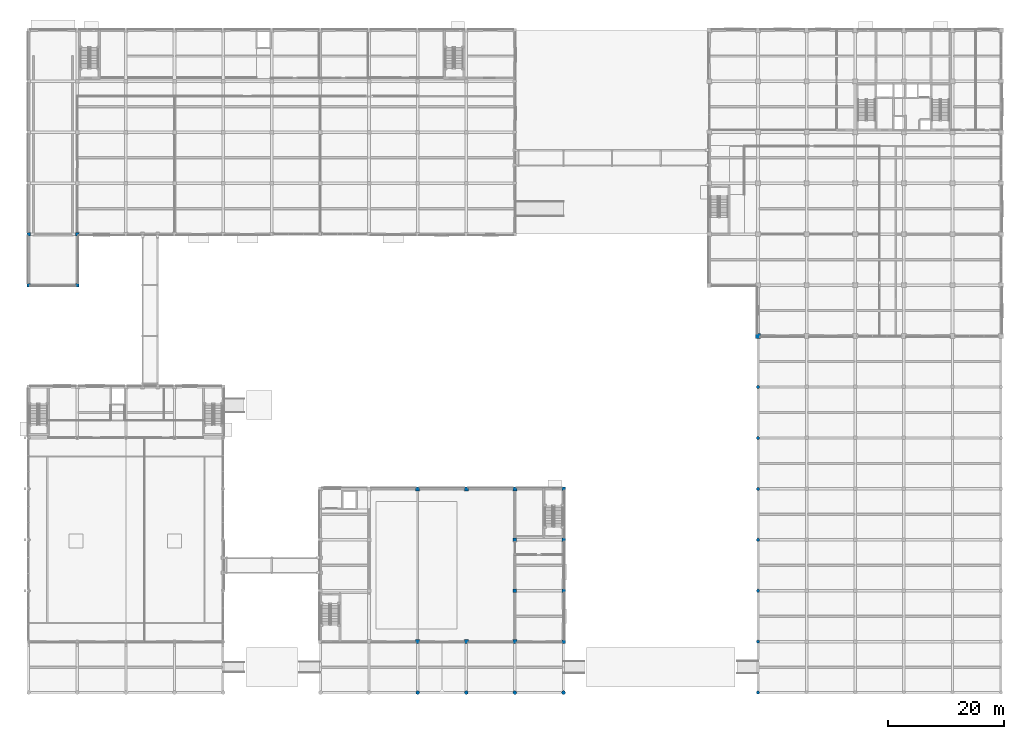
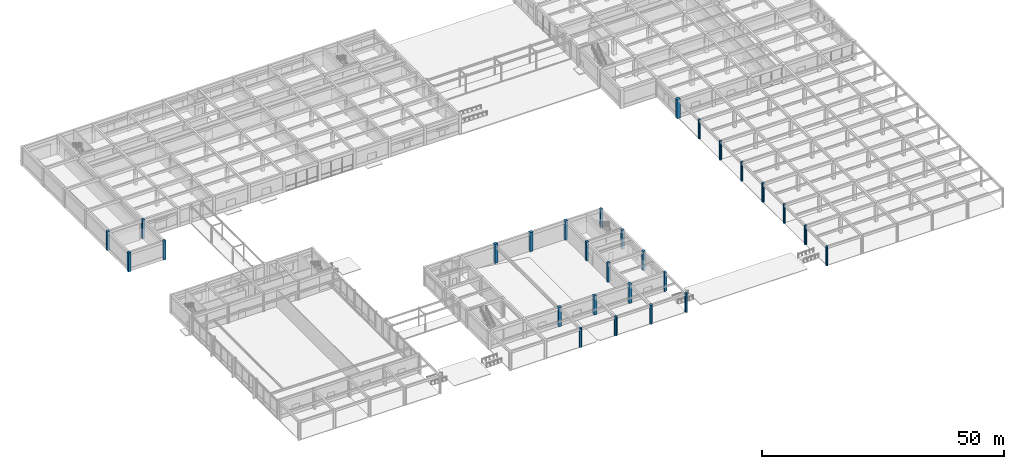
# One storey, part 5 of 58: 28 columns.
"""IFC4 building model written with IfcOpenShell, lengths in metres."""

from ifc_helpers import new_model, si_unit, direction, frame, origin, origin_2d, place, context, subcontext, project, spatial, rectangle, circle, extrude, material, material_profile, profile_set, type_object, element, save


model = new_model("IFC4")

# Units and contexts
model_context = context("Model", 3, precision=1e-05, world=origin(), true_north=direction((0.0, 1.0)))
body_context = subcontext(model_context, "Body", "Model", "MODEL_VIEW")
ifc_project = project(units=[si_unit("LENGTHUNIT", "METRE"), si_unit("AREAUNIT", "SQUARE_METRE"), si_unit("VOLUMEUNIT", "CUBIC_METRE"), si_unit("PLANEANGLEUNIT", "RADIAN"), si_unit("MASSUNIT", "GRAM", prefix="KILO")], contexts=[model_context])

# Site, building, storey
site_placement = place(None, origin())
site = spatial("IfcSite", under=ifc_project, at=site_placement, CompositionType="ELEMENT")
building_placement = place(site_placement, origin())
building = spatial("IfcBuilding", under=site, at=building_placement, Name="Kemercrest Conservatory and Botanical Centre", CompositionType="ELEMENT")
storey_placement = place(building_placement, origin())
storey = spatial("IfcBuildingStorey", under=building, at=storey_placement, Name="L00", CompositionType="ELEMENT", Elevation=0.0)

# Columns
ifc_material_1 = material(Name="Concrete C40/50", Category="concrete")
ifc_material_profile_1 = material_profile(ifc_material_1, rectangle(XDim=0.60009765625, YDim=0.60009765625, at=origin_2d()), Name="RC 600x600")
ifc_profile_set_1 = profile_set([ifc_material_profile_1], Name="Concrete C40/50")
column_type_1 = type_object("IfcColumnType", Name="C-RC60", PredefinedType="COLUMN", material=ifc_profile_set_1)
for number, where, z_axis, x_axis, name in (
    (1, (92.0, 25.60009765625, 0.0), (0.0, 0.0, 1.0), (1.0, 0.0, 0.0), "Auditorium column 11/C"),
    (2, (92.0, 34.39990234375, 0.0), (0.0, 0.0, 1.0), (1.0, 0.0, 0.0), "Auditorium column 11/D"),
    (3, (100.39990234375, 16.800048828125, 0.0), (0.0, 0.0, 1.0), (1.0, 0.0, 0.0), "Auditorium column 12/B"),
    (4, (100.39990234375, 25.60009765625, 0.0), (0.0, 0.0, 1.0), (1.0, 0.0, 0.0), "Auditorium column 12/C"),
    (5, (100.39990234375, 34.39990234375, 0.0), (0.0, 0.0, 1.0), (1.0, 0.0, 0.0), "Auditorium column 12/D"),
    (6, (100.39990234375, 43.199951171875, 0.0), (0.0, 0.0, 1.0), (1.0, 0.0, 0.0), "Auditorium column 12/E"),
    (7, (8.0, 87.199951171875, 0.0), (0.0, 0.0, 1.0), (1.0, 0.0, 0.0), "Visitor Wing column 01/K"),
    (8, (16.39990234375, 87.199951171875, 0.0), (0.0, 0.0, 1.0), (1.0, 0.0, 0.0), "Visitor Wing column 02/K"),
    (9, (8.0, 78.39990234375, 0.0), (0.0, 0.0, 1.0), (1.0, 0.0, 0.0), "Vehicle ramp enclosure column 01/J"),
    (10, (16.39990234375, 78.39990234375, 0.0), (0.0, 0.0, 1.0), (1.0, 0.0, 0.0), "Vehicle ramp enclosure column 02/J"),
):
    element("IfcColumn", number, at=place(storey_placement, frame(where, z_axis=z_axis, x_axis=x_axis)), inside=storey, type_object=column_type_1, Name=name, PredefinedType="COLUMN", context=body_context, shape_type="SweptSolid", body=[
        extrude(rectangle(XDim=0.60009765625, YDim=0.60009765625, at=origin_2d()), origin(), (0.0, 0.0, 1.0), 4.800048828125),
    ])
ifc_material_2 = material(Name="Concrete C50/60", Category="concrete")
ifc_material_profile_2 = material_profile(ifc_material_2, rectangle(XDim=0.699951171875, YDim=0.699951171875, at=origin_2d()), Name="RC 700x700")
ifc_profile_set_2 = profile_set([ifc_material_profile_2], Name="Concrete C50/60")
column_type_2 = type_object("IfcColumnType", Name="C-RC70", PredefinedType="COLUMN", material=ifc_profile_set_2)
for number, where, z_axis, x_axis, name in (
    (11, (75.199951171875, 16.800048828125, 0.0), (0.0, 0.0, 1.0), (1.0, 0.0, 0.0), "Auditorium column 09/B"),
    (12, (75.199951171875, 43.199951171875, 0.0), (0.0, 0.0, 1.0), (1.0, 0.0, 0.0), "Auditorium column 09/E"),
    (13, (83.60009765625, 16.800048828125, 0.0), (0.0, 0.0, 1.0), (1.0, 0.0, 0.0), "Auditorium column 10/B"),
    (14, (83.60009765625, 43.199951171875, 0.0), (0.0, 0.0, 1.0), (1.0, 0.0, 0.0), "Auditorium column 10/E"),
    (15, (92.0, 16.800048828125, 0.0), (0.0, 0.0, 1.0), (1.0, 0.0, 0.0), "Auditorium column 11/B"),
    (16, (92.0, 43.199951171875, 0.0), (0.0, 0.0, 1.0), (1.0, 0.0, 0.0), "Auditorium column 11/E"),
):
    element("IfcColumn", number, at=place(storey_placement, frame(where, z_axis=z_axis, x_axis=x_axis)), inside=storey, type_object=column_type_2, Name=name, PredefinedType="COLUMN", context=body_context, shape_type="SweptSolid", body=[
        extrude(rectangle(XDim=0.699951171875, YDim=0.699951171875, at=origin_2d()), origin(), (0.0, 0.0, 1.0), 4.800048828125),
    ])
ifc_material_profile_3 = material_profile(ifc_material_2, rectangle(XDim=0.800048828125, YDim=0.800048828125, at=origin_2d()), Name="RC 800x800")
ifc_profile_set_3 = profile_set([ifc_material_profile_3], Name="Concrete C50/60")
column_type_3 = type_object("IfcColumnType", Name="C-RC80", PredefinedType="COLUMN", material=ifc_profile_set_3)
column_placement = place(storey_placement, frame((134.0, 69.60009765625, 0.0), z_axis=(0.0, 0.0, 1.0), x_axis=(1.0, 0.0, 0.0)))
element("IfcColumn", 17, at=column_placement, inside=storey, type_object=column_type_3, Name="Tower column C-RC80 16/H", PredefinedType="COLUMN", context=body_context, shape_type="SweptSolid", body=[
    extrude(rectangle(XDim=0.800048828125, YDim=0.800048828125, at=origin_2d()), origin(), (0.0, 0.0, 1.0), 4.800048828125),
])
ifc_material_3 = material(Name="Precast concrete C40/50", Category="concrete")
ifc_material_profile_4 = material_profile(ifc_material_3, circle(Radius=0.27490234375, at=origin_2d()), Name="COLONNADE D550")
ifc_profile_set_4 = profile_set([ifc_material_profile_4], Name="Precast concrete C40/50")
column_type_4 = type_object("IfcColumnType", Name="CL-550", PredefinedType="COLUMN", material=ifc_profile_set_4)
for number, where, z_axis, x_axis, name in (
    (18, (134.0, 8.0, 0.0), (0.0, 0.0, 1.0), (1.0, 0.0, 0.0), "South-east colonnade column 16/A"),
    (19, (134.0, 16.800048828125, 0.0), (0.0, 0.0, 1.0), (1.0, 0.0, 0.0), "South-east colonnade column 16/B"),
    (20, (134.0, 25.60009765625, 0.0), (0.0, 0.0, 1.0), (1.0, 0.0, 0.0), "South-east colonnade column 16/C"),
    (21, (134.0, 34.39990234375, 0.0), (0.0, 0.0, 1.0), (1.0, 0.0, 0.0), "South-east colonnade column 16/D"),
    (22, (134.0, 43.199951171875, 0.0), (0.0, 0.0, 1.0), (1.0, 0.0, 0.0), "South-east colonnade column 16/E"),
    (23, (134.0, 52.0, 0.0), (0.0, 0.0, 1.0), (1.0, 0.0, 0.0), "South-east colonnade column 16/F"),
    (24, (134.0, 60.800048828125, 0.0), (0.0, 0.0, 1.0), (1.0, 0.0, 0.0), "South-east colonnade column 16/G"),
):
    element("IfcColumn", number, at=place(storey_placement, frame(where, z_axis=z_axis, x_axis=x_axis)), inside=storey, type_object=column_type_4, Name=name, PredefinedType="COLUMN", context=body_context, shape_type="SweptSolid", body=[
        extrude(circle(Radius=0.27490234375, at=origin_2d()), origin(), (0.0, 0.0, 1.0), 4.800048828125),
    ])
ifc_material_profile_5 = material_profile(ifc_material_3, circle(Radius=0.324951171875, at=origin_2d()), Name="COLONNADE D650")
ifc_profile_set_5 = profile_set([ifc_material_profile_5], Name="Precast concrete C40/50")
column_type_5 = type_object("IfcColumnType", Name="CL-650", PredefinedType="COLUMN", material=ifc_profile_set_5)
for number, where, z_axis, x_axis, name in (
    (25, (75.199951171875, 8.0, 0.0), (0.0, 0.0, 1.0), (1.0, 0.0, 0.0), "Auditorium harbour colonnade column 09/A"),
    (26, (83.60009765625, 8.0, 0.0), (0.0, 0.0, 1.0), (1.0, 0.0, 0.0), "Auditorium harbour colonnade column 10/A"),
    (27, (92.0, 8.0, 0.0), (0.0, 0.0, 1.0), (1.0, 0.0, 0.0), "Auditorium harbour colonnade column 11/A"),
    (28, (100.39990234375, 8.0, 0.0), (0.0, 0.0, 1.0), (1.0, 0.0, 0.0), "Auditorium harbour colonnade column 12/A"),
):
    element("IfcColumn", number, at=place(storey_placement, frame(where, z_axis=z_axis, x_axis=x_axis)), inside=storey, type_object=column_type_5, Name=name, PredefinedType="COLUMN", context=body_context, shape_type="SweptSolid", body=[
        extrude(circle(Radius=0.324951171875, at=origin_2d()), origin(), (0.0, 0.0, 1.0), 4.800048828125),
    ])

save(model, "model.ifc")
